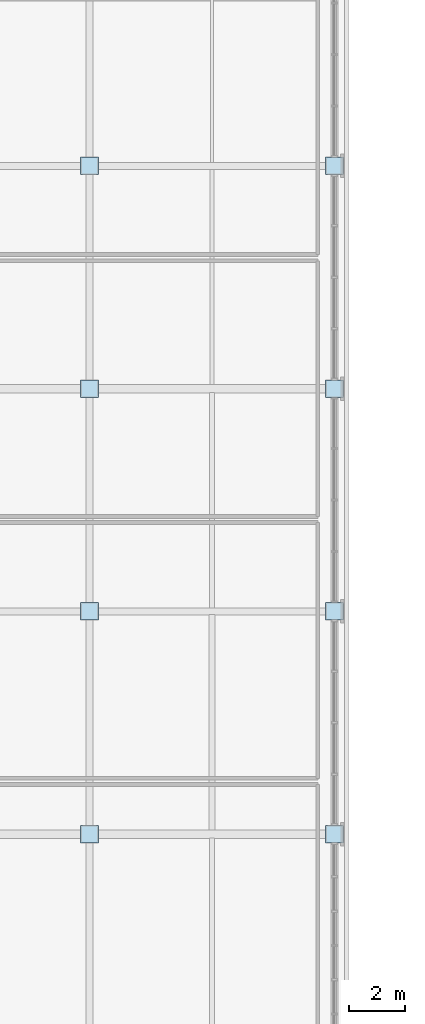
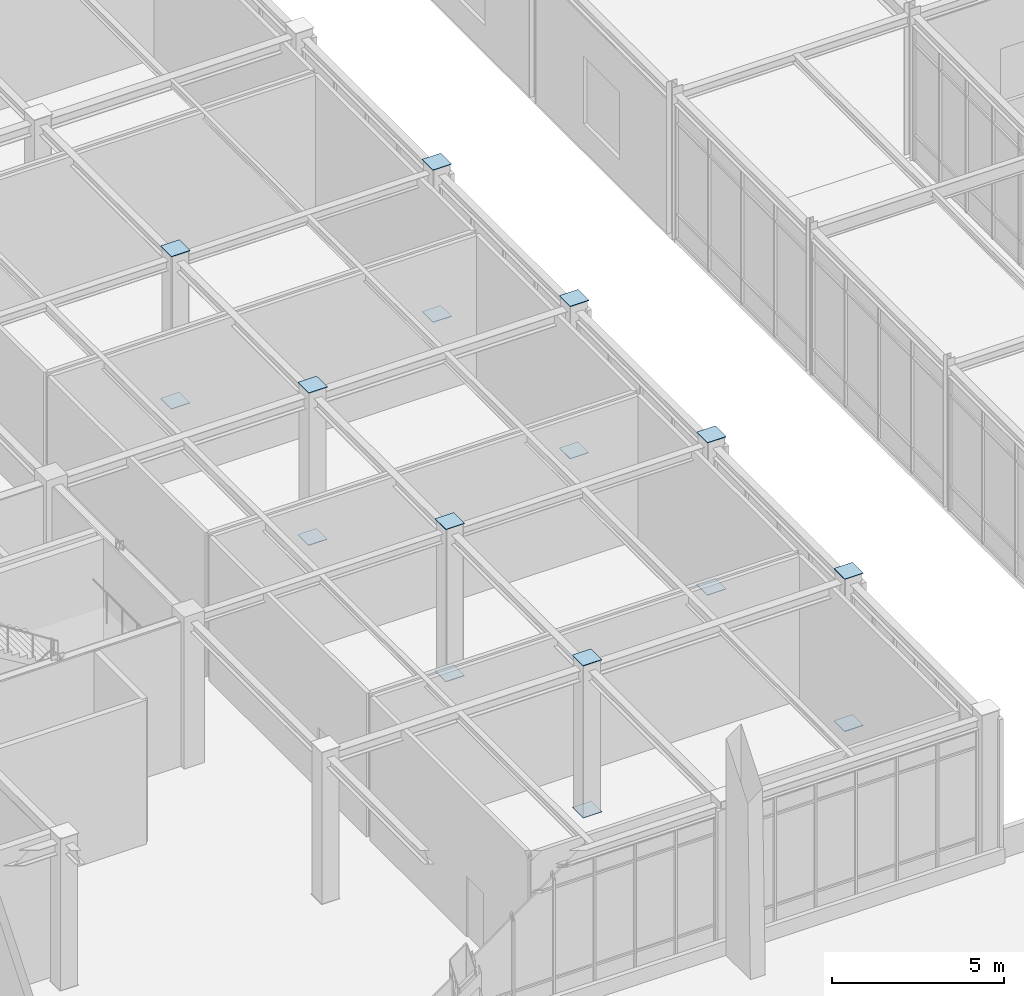
# One storey, part 75 of 108: 16 plates.
"""IFC4 building model written with IfcOpenShell, lengths in metres."""

from ifc_helpers import new_model, si_unit, direction, frame, origin, origin_2d, place, context, subcontext, project, spatial, rectangle, extrude, material, layer, layer_set, type_object, element, save


model = new_model("IFC4")

# Units and contexts
model_context = context("Model", 3, precision=1e-05, world=origin(), true_north=direction((0.0, 1.0)))
body_context = subcontext(model_context, "Body", "Model", "MODEL_VIEW")
ifc_project = project(units=[si_unit("LENGTHUNIT", "METRE"), si_unit("AREAUNIT", "SQUARE_METRE"), si_unit("VOLUMEUNIT", "CUBIC_METRE"), si_unit("PLANEANGLEUNIT", "RADIAN"), si_unit("MASSUNIT", "GRAM", prefix="KILO")], contexts=[model_context])

# Site, building, storey
site_placement = place(None, origin())
site = spatial("IfcSite", under=ifc_project, at=site_placement, CompositionType="ELEMENT")
building_placement = place(site_placement, origin())
building = spatial("IfcBuilding", under=site, at=building_placement, Name="Zhaolan Boulevard Law Courts", CompositionType="ELEMENT")
storey_placement = place(building_placement, frame((0.0, 0.0, 10.800048828125)))
storey = spatial("IfcBuildingStorey", under=building, at=storey_placement, Name="L02", CompositionType="ELEMENT", Elevation=10.800048828125)

# Plates
ifc_material = material(Name="Structural steel Q355B", Category="steel")
ifc_layer = layer(ifc_material, 0.02001953125)
ifc_layer_set = layer_set([ifc_layer])
plate_type = type_object("IfcPlateType", Name="END CAP PLATE 20", PredefinedType="SHEET", material=ifc_layer_set)
for number, where, z_axis, x_axis, name in (
    (1, (35.199951171875, 38.0, -0.01806640625), (0.0, 0.0, 1.0), (1.0, 0.0, 0.0), "Hollow Section End-Cap Plate ECP-0383"),
    (2, (35.199951171875, 38.0, 5.39794921875), (0.0, 0.0, 1.0), (1.0, 0.0, 0.0), "Hollow Section End-Cap Plate ECP-0384"),
    (3, (35.199951171875, 46.0, -0.01806640625), (0.0, 0.0, 1.0), (1.0, 0.0, 0.0), "Hollow Section End-Cap Plate ECP-0405"),
    (4, (35.199951171875, 46.0, 5.39794921875), (0.0, 0.0, 1.0), (1.0, 0.0, 0.0), "Hollow Section End-Cap Plate ECP-0406"),
    (5, (35.199951171875, 54.0, -0.01806640625), (0.0, 0.0, 1.0), (1.0, 0.0, 0.0), "Hollow Section End-Cap Plate ECP-0427"),
    (6, (35.199951171875, 54.0, 5.39794921875), (0.0, 0.0, 1.0), (1.0, 0.0, 0.0), "Hollow Section End-Cap Plate ECP-0428"),
    (7, (35.199951171875, 62.0, -0.01806640625), (0.0, 0.0, 1.0), (1.0, 0.0, 0.0), "Hollow Section End-Cap Plate ECP-0449"),
    (8, (35.199951171875, 62.0, 5.39794921875), (0.0, 0.0, 1.0), (1.0, 0.0, 0.0), "Hollow Section End-Cap Plate ECP-0450"),
    (9, (44.0, 38.0, -0.01806640625), (0.0, 0.0, 1.0), (1.0, 0.0, 0.0), "Hollow Section End-Cap Plate ECP-0511"),
    (10, (44.0, 38.0, 5.39794921875), (0.0, 0.0, 1.0), (1.0, 0.0, 0.0), "Hollow Section End-Cap Plate ECP-0512"),
    (11, (44.0, 46.0, -0.01806640625), (0.0, 0.0, 1.0), (1.0, 0.0, 0.0), "Hollow Section End-Cap Plate ECP-0529"),
    (12, (44.0, 46.0, 5.39794921875), (0.0, 0.0, 1.0), (1.0, 0.0, 0.0), "Hollow Section End-Cap Plate ECP-0530"),
    (13, (44.0, 54.0, -0.01806640625), (0.0, 0.0, 1.0), (1.0, 0.0, 0.0), "Hollow Section End-Cap Plate ECP-0547"),
    (14, (44.0, 54.0, 5.39794921875), (0.0, 0.0, 1.0), (1.0, 0.0, 0.0), "Hollow Section End-Cap Plate ECP-0548"),
    (15, (44.0, 62.0, -0.01806640625), (0.0, 0.0, 1.0), (1.0, 0.0, 0.0), "Hollow Section End-Cap Plate ECP-0565"),
    (16, (44.0, 62.0, 5.39794921875), (0.0, 0.0, 1.0), (1.0, 0.0, 0.0), "Hollow Section End-Cap Plate ECP-0566"),
):
    element("IfcPlate", number, at=place(storey_placement, frame(where, z_axis=z_axis, x_axis=x_axis)), inside=storey, type_object=plate_type, Name=name, PredefinedType="SHEET", context=body_context, shape_type="SweptSolid", body=[
        extrude(rectangle(XDim=0.6298828125, YDim=0.6298828125, at=origin_2d()), origin(), (0.0, 0.0, 1.0), 0.02001953125),
    ])

save(model, "model.ifc")
